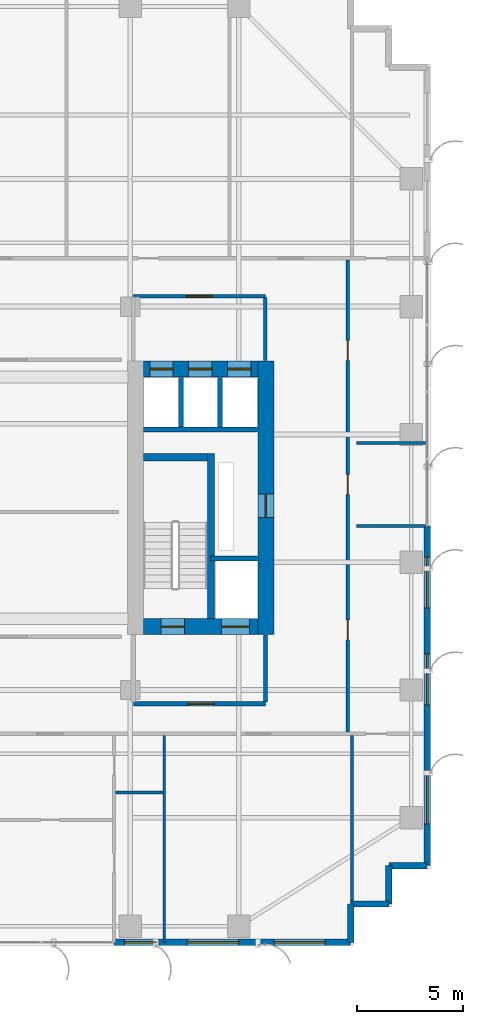
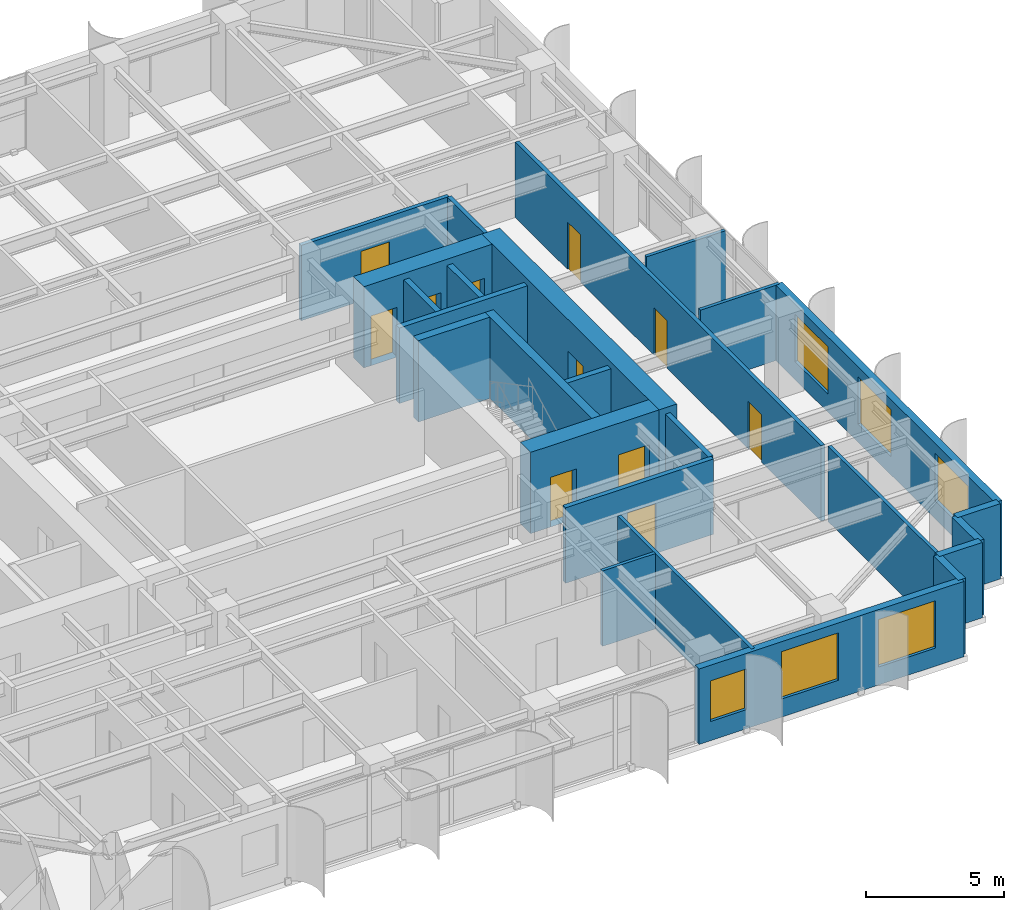
# One storey, part 22 of 27: 25 walls, 11 doors, 6 windows, 17 openings.
"""IFC4 building model written with IfcOpenShell, lengths in metres."""

from ifc_helpers import new_model, si_unit, direction, frame, frame_2d, origin, place, context, subcontext, project, spatial, rectangle, extrude, source, transform, mapped, material, layer, layer_set, type_object, element, fill, save


model = new_model("IFC4")

# Units and contexts
model_context = context("Model", 3, precision=1e-05, world=origin(), true_north=direction((0.0, 1.0)))
body_context = subcontext(model_context, "Body", "Model", "MODEL_VIEW")
ifc_project = project(units=[si_unit("LENGTHUNIT", "METRE"), si_unit("AREAUNIT", "SQUARE_METRE"), si_unit("VOLUMEUNIT", "CUBIC_METRE"), si_unit("PLANEANGLEUNIT", "RADIAN"), si_unit("MASSUNIT", "GRAM", prefix="KILO")], contexts=[model_context])

# Site, building, storey
site_placement = place(None, origin())
site = spatial("IfcSite", under=ifc_project, at=site_placement, CompositionType="ELEMENT")
building_placement = place(site_placement, origin())
building = spatial("IfcBuilding", under=site, at=building_placement, Name="Khoralis Quay Care Tower", CompositionType="ELEMENT")
storey_placement = place(building_placement, frame((0.0, 0.0, 105.300048828125)))
storey = spatial("IfcBuildingStorey", under=building, at=storey_placement, Name="L27", CompositionType="ELEMENT", Elevation=105.300048828125)

# Wall, opening, door
ifc_material_1 = material(Name="Gypsum plasterboard on acoustic metal stud")
ifc_layer_1 = layer(ifc_material_1, 0.199951171875)
ifc_layer_set_1 = layer_set([ifc_layer_1], Name="Gypsum plasterboard on acoustic metal stud")
wall_type_1 = type_object("IfcWallType", Name="WL-COMP-200", PredefinedType="PARTITIONING", material=ifc_layer_set_1)
wall_1_placement = place(storey_placement, frame((31.050048828125, 11.35009765625, 0.0), z_axis=(0.0, 0.0, 1.0), x_axis=(1.0, 0.0, 0.0)))
wall_1 = element("IfcWall", 1, at=wall_1_placement, inside=storey, type_object=wall_type_1, Name="L27 East Firefighting Lobby South Wall", PredefinedType="PARTITIONING", context=body_context, shape_type="SweptSolid", body=[
    extrude(rectangle(XDim=6.199951171875, YDim=0.199951171875, at=frame_2d((3.10009765625, 0.0))), origin(), (0.0, 0.0, 1.0), 3.33984375),
])
opening_1_placement = place(wall_1_placement, frame((2.585693359375, 0.0, 0.0)))
opening_1 = element("IfcOpeningElement", 2, at=opening_1_placement, cuts=wall_1, Name="Opening FD1", PredefinedType="OPENING", context=body_context, shape_type="SweptSolid", body=[
    extrude(rectangle(XDim=1.199951171875, YDim=2.199951171875, at=frame_2d((0.60009765625, 1.10009765625))), frame((0.0, 0.10986328125, 0.0), z_axis=(0.0, -1.0, 0.0), x_axis=(1.0, 0.0, 0.0)), (0.0, 0.0, 1.0), 0.219970703125),
])
ifc_material_2 = material(Name="Fire-rated painted steel", Category="steel")
door_type_1 = type_object("IfcDoorType", Name="DR-FFL-1200X2200", OperationType="NOTDEFINED", PredefinedType="DOOR", material=ifc_material_2)
shared_shape_1 = source(origin(), body_context, "Body", "SweptSolid", [
    extrude(rectangle(XDim=1.199951171875, YDim=2.199951171875, at=frame_2d((0.60009765625, 1.10009765625))), frame((0.0, 0.02490234375, 0.0), z_axis=(0.0, -1.0, 0.0), x_axis=(1.0, 0.0, 0.0)), (0.0, 0.0, 1.0), 0.050048828125),
])
door_1_placement = place(opening_1_placement, origin())
door_1 = element("IfcDoor", 3, at=door_1_placement, inside=storey, type_object=door_type_1, Name="L27 East Firefighting Lobby Fire Door", OperationType="SINGLE_SWING_RIGHT", OverallHeight=2.199951171875, OverallWidth=1.199951171875, PredefinedType="DOOR", context=body_context, shape_type="MappedRepresentation", body=[
    mapped(shared_shape_1, transform((0.0, 0.0, 0.0), scale=1.0)),
])
fill(opening_1, door_1)

# Wall
wall_2_placement = place(storey_placement, frame((37.25, 11.445068359375, 0.0), z_axis=(0.0, 0.0, 1.0), x_axis=(0.0, 1.0, 0.0)))
element("IfcWall", 4, at=wall_2_placement, inside=storey, type_object=wall_type_1, Name="L27 East Firefighting Lobby East Wall", PredefinedType="PARTITIONING", context=body_context, shape_type="SweptSolid", body=[
    extrude(rectangle(XDim=3.135009765625, YDim=0.199951171875, at=frame_2d((1.5673828125, 0.0))), origin(), (0.0, 0.0, 1.0), 3.33984375),
])

# Wall, opening, door
ifc_material_3 = material(Name="Concrete C80/95", Category="concrete")
ifc_layer_2 = layer(ifc_material_3, 0.75)
ifc_layer_set_2 = layer_set([ifc_layer_2], Name="Concrete C80/95")
wall_type_2 = type_object("IfcWallType", Name="WL-CORE-750", PredefinedType="SHEAR", material=ifc_layer_set_2)
wall_3_placement = place(storey_placement, frame((37.27490234375, 14.60009765625, 0.0), z_axis=(0.0, 0.0, 1.0), x_axis=(0.0, 1.0, 0.0)))
wall_3 = element("IfcWall", 5, at=wall_3_placement, inside=storey, type_object=wall_type_2, Name="L27 ECORE East Shear Wall", PredefinedType="SHEAR", context=body_context, shape_type="SweptSolid", body=[
    extrude(rectangle(XDim=12.849853515625, YDim=0.75, at=frame_2d((6.4248046875, 0.0))), origin(), (0.0, 0.0, 1.0), 3.599853515625),
])
opening_2_placement = place(wall_3_placement, frame((5.5, 0.0, 0.0)))
opening_2 = element("IfcOpeningElement", 6, at=opening_2_placement, cuts=wall_3, Name="Opening SD1", PredefinedType="OPENING", context=body_context, shape_type="SweptSolid", body=[
    extrude(rectangle(XDim=1.10009765625, YDim=2.199951171875, at=frame_2d((0.550048828125, 1.10009765625))), frame((0.0, 0.385009765625, 0.0), z_axis=(0.0, -1.0, 0.0), x_axis=(1.0, 0.0, 0.0)), (0.0, 0.0, 1.0), 0.77001953125),
])
door_type_2 = type_object("IfcDoorType", Name="DR-STAIR-1100X2200", OperationType="NOTDEFINED", PredefinedType="DOOR", material=ifc_material_2)
shared_shape_2 = source(origin(), body_context, "Body", "SweptSolid", [
    extrude(rectangle(XDim=1.10009765625, YDim=2.199951171875, at=frame_2d((0.550048828125, 1.10009765625))), frame((0.0, 0.02490234375, 0.0), z_axis=(0.0, -1.0, 0.0), x_axis=(1.0, 0.0, 0.0)), (0.0, 0.0, 1.0), 0.050048828125),
])
door_2_placement = place(opening_2_placement, frame((1.10009765625, 0.0, 0.0), z_axis=(0.0, 0.0, 1.0), x_axis=(-1.0, 0.0, 0.0)))
door_2 = element("IfcDoor", 7, at=door_2_placement, inside=storey, type_object=door_type_2, Name="L27 East MEP Riser Door", OperationType="SINGLE_SWING_RIGHT", OverallHeight=2.199951171875, OverallWidth=1.10009765625, PredefinedType="DOOR", context=body_context, shape_type="MappedRepresentation", body=[
    mapped(shared_shape_2, transform((0.0, 0.0, 0.0), scale=1.0)),
])
fill(opening_2, door_2)

# Wall, openings, doors
wall_4_placement = place(storey_placement, frame((31.52001953125, 14.97509765625, 0.0), z_axis=(0.0, 0.0, 1.0), x_axis=(1.0, 0.0, 0.0)))
wall_4 = element("IfcWall", 8, at=wall_4_placement, inside=storey, type_object=wall_type_2, Name="L27 ECORE South Shear Wall", PredefinedType="SHEAR", context=body_context, shape_type="SweptSolid", body=[
    extrude(rectangle(XDim=5.3798828125, YDim=0.75, at=frame_2d((2.68994140625, 0.0))), origin(), (0.0, 0.0, 1.0), 3.599853515625),
])
opening_3_placement = place(wall_4_placement, frame((0.830078125, 0.0, 0.0)))
opening_3 = element("IfcOpeningElement", 9, at=opening_3_placement, cuts=wall_4, Name="Opening SD1", PredefinedType="OPENING", context=body_context, shape_type="SweptSolid", body=[
    extrude(rectangle(XDim=1.10009765625, YDim=2.199951171875, at=frame_2d((0.550048828125, 1.10009765625))), frame((0.0, 0.385009765625, 0.0), z_axis=(0.0, -1.0, 0.0), x_axis=(1.0, 0.0, 0.0)), (0.0, 0.0, 1.0), 0.77001953125),
])
opening_4_placement = place(wall_4_placement, frame((3.679931640625, 0.0, 0.0)))
opening_4 = element("IfcOpeningElement", 10, at=opening_4_placement, cuts=wall_4, Name="Opening LD2", PredefinedType="OPENING", context=body_context, shape_type="SweptSolid", body=[
    extrude(rectangle(XDim=1.300048828125, YDim=2.199951171875, at=frame_2d((0.64990234375, 1.10009765625))), frame((0.0, 0.385009765625, 0.0), z_axis=(0.0, -1.0, 0.0), x_axis=(1.0, 0.0, 0.0)), (0.0, 0.0, 1.0), 0.77001953125),
])
door_3_placement = place(opening_3_placement, origin())
door_3 = element("IfcDoor", 11, at=door_3_placement, inside=storey, type_object=door_type_2, Name="L27 Stair ST-T2 Fire Door", OperationType="SINGLE_SWING_RIGHT", OverallHeight=2.199951171875, OverallWidth=1.10009765625, PredefinedType="DOOR", context=body_context, shape_type="MappedRepresentation", body=[
    mapped(shared_shape_2, transform((0.0, 0.0, 0.0), scale=1.0)),
])
fill(opening_3, door_3)
ifc_material_4 = material(Name="Brushed stainless steel", Category="steel")
door_type_3 = type_object("IfcDoorType", Name="DR-LIFT-1300X2200", OperationType="SLIDING_TO_RIGHT", PredefinedType="DOOR", material=ifc_material_4)
shared_shape_3 = source(origin(), body_context, "Body", "SweptSolid", [
    extrude(rectangle(XDim=1.300048828125, YDim=2.199951171875, at=frame_2d((0.64990234375, 1.10009765625))), frame((0.0, 0.02490234375, 0.0), z_axis=(0.0, -1.0, 0.0), x_axis=(1.0, 0.0, 0.0)), (0.0, 0.0, 1.0), 0.050048828125),
])
door_4_placement = place(opening_4_placement, origin())
door_4 = element("IfcDoor", 12, at=door_4_placement, inside=storey, type_object=door_type_3, Name="L27 Firefighting Lift FFL-2 Landing Door", OperationType="SLIDING_TO_RIGHT", OverallHeight=2.199951171875, OverallWidth=1.300048828125, PredefinedType="DOOR", context=body_context, shape_type="MappedRepresentation", body=[
    mapped(shared_shape_3, transform((0.0, 0.0, 0.0), scale=1.0)),
])
fill(opening_4, door_4)

wall_5_placement = place(storey_placement, frame((31.52001953125, 27.074951171875, 0.0), z_axis=(0.0, 0.0, 1.0), x_axis=(1.0, 0.0, 0.0)))
wall_5 = element("IfcWall", 13, at=wall_5_placement, inside=storey, type_object=wall_type_2, Name="L27 ECORE North Shear Wall", PredefinedType="SHEAR", context=body_context, shape_type="SweptSolid", body=[
    extrude(rectangle(XDim=5.3798828125, YDim=0.75, at=frame_2d((2.68994140625, 0.0))), origin(), (0.0, 0.0, 1.0), 3.599853515625),
])
opening_5_placement = place(wall_5_placement, frame((0.300048828125, 0.0, 0.0)))
opening_5 = element("IfcOpeningElement", 14, at=opening_5_placement, cuts=wall_5, Name="Opening LD1", PredefinedType="OPENING", context=body_context, shape_type="SweptSolid", body=[
    extrude(rectangle(XDim=1.10009765625, YDim=2.199951171875, at=frame_2d((0.550048828125, 1.10009765625))), frame((0.0, 0.385009765625, 0.0), z_axis=(0.0, -1.0, 0.0), x_axis=(1.0, 0.0, 0.0)), (0.0, 0.0, 1.0), 0.77001953125),
])
opening_6_placement = place(wall_5_placement, frame((2.1298828125, 0.0, 0.0)))
opening_6 = element("IfcOpeningElement", 15, at=opening_6_placement, cuts=wall_5, Name="Opening LD1", PredefinedType="OPENING", context=body_context, shape_type="SweptSolid", body=[
    extrude(rectangle(XDim=1.10009765625, YDim=2.199951171875, at=frame_2d((0.550048828125, 1.10009765625))), frame((0.0, 0.385009765625, 0.0), z_axis=(0.0, -1.0, 0.0), x_axis=(1.0, 0.0, 0.0)), (0.0, 0.0, 1.0), 0.77001953125),
])
opening_7_placement = place(wall_5_placement, frame((3.9599609375, 0.0, 0.0)))
opening_7 = element("IfcOpeningElement", 16, at=opening_7_placement, cuts=wall_5, Name="Opening LD1", PredefinedType="OPENING", context=body_context, shape_type="SweptSolid", body=[
    extrude(rectangle(XDim=1.10009765625, YDim=2.199951171875, at=frame_2d((0.550048828125, 1.10009765625))), frame((0.0, 0.385009765625, 0.0), z_axis=(0.0, -1.0, 0.0), x_axis=(1.0, 0.0, 0.0)), (0.0, 0.0, 1.0), 0.77001953125),
])
door_type_4 = type_object("IfcDoorType", Name="DR-LIFT-1100X2200", OperationType="SLIDING_TO_LEFT", PredefinedType="DOOR", material=ifc_material_4)
shared_shape_4 = source(origin(), body_context, "Body", "SweptSolid", [
    extrude(rectangle(XDim=1.10009765625, YDim=2.199951171875, at=frame_2d((0.550048828125, 1.10009765625))), frame((0.0, 0.02490234375, 0.0), z_axis=(0.0, -1.0, 0.0), x_axis=(1.0, 0.0, 0.0)), (0.0, 0.0, 1.0), 0.050048828125),
])
door_5_placement = place(opening_5_placement, origin())
door_5 = element("IfcDoor", 17, at=door_5_placement, inside=storey, type_object=door_type_4, Name="L27 Lift PLL2 Landing Door", OperationType="SLIDING_TO_LEFT", OverallHeight=2.199951171875, OverallWidth=1.10009765625, PredefinedType="DOOR", context=body_context, shape_type="MappedRepresentation", body=[
    mapped(shared_shape_4, transform((0.0, 0.0, 0.0), scale=1.0)),
])
fill(opening_5, door_5)
door_6_placement = place(opening_6_placement, origin())
door_6 = element("IfcDoor", 18, at=door_6_placement, inside=storey, type_object=door_type_4, Name="L27 Lift PLM2 Landing Door", OperationType="SLIDING_TO_LEFT", OverallHeight=2.199951171875, OverallWidth=1.10009765625, PredefinedType="DOOR", context=body_context, shape_type="MappedRepresentation", body=[
    mapped(shared_shape_4, transform((0.0, 0.0, 0.0), scale=1.0)),
])
fill(opening_6, door_6)
door_7_placement = place(opening_7_placement, origin())
door_7 = element("IfcDoor", 19, at=door_7_placement, inside=storey, type_object=door_type_4, Name="L27 Lift PLH2 Landing Door", OperationType="SLIDING_TO_LEFT", OverallHeight=2.199951171875, OverallWidth=1.10009765625, PredefinedType="DOOR", context=body_context, shape_type="MappedRepresentation", body=[
    mapped(shared_shape_4, transform((0.0, 0.0, 0.0), scale=1.0)),
])
fill(opening_7, door_7)

# Wall, opening, door
ifc_layer_3 = layer(ifc_material_1, 0.1650390625)
ifc_layer_set_3 = layer_set([ifc_layer_3], Name="Gypsum plasterboard on acoustic metal stud")
wall_type_3 = type_object("IfcWallType", Name="WL-CORR-165", PredefinedType="PARTITIONING", material=ifc_layer_set_3)
wall_6_placement = place(storey_placement, frame((31.050048828125, 30.5, 0.0), z_axis=(0.0, 0.0, 1.0), x_axis=(1.0, 0.0, 0.0)))
wall_6 = element("IfcWall", 20, at=wall_6_placement, inside=storey, type_object=wall_type_3, Name="L27 East Lift Lobby North Wall", PredefinedType="PARTITIONING", context=body_context, shape_type="SweptSolid", body=[
    extrude(rectangle(XDim=6.199951171875, YDim=0.1650390625, at=frame_2d((3.10009765625, 0.0))), origin(), (0.0, 0.0, 1.0), 3.33984375),
])
opening_8_placement = place(wall_6_placement, frame((2.5, 0.0, 0.0)))
opening_8 = element("IfcOpeningElement", 21, at=opening_8_placement, cuts=wall_6, Name="Opening FD1", PredefinedType="OPENING", context=body_context, shape_type="SweptSolid", body=[
    extrude(rectangle(XDim=1.199951171875, YDim=2.199951171875, at=frame_2d((0.60009765625, 1.10009765625))), frame((0.0, 0.092529296875, 0.0), z_axis=(0.0, -1.0, 0.0), x_axis=(1.0, 0.0, 0.0)), (0.0, 0.0, 1.0), 0.18505859375),
])
door_8_placement = place(opening_8_placement, origin())
door_8 = element("IfcDoor", 22, at=door_8_placement, inside=storey, type_object=door_type_1, Name="L27 East Lift Lobby Double Door", OperationType="DOUBLE_DOOR_SINGLE_SWING", OverallHeight=2.199951171875, OverallWidth=1.199951171875, PredefinedType="DOOR", context=body_context, shape_type="MappedRepresentation", body=[
    mapped(shared_shape_1, transform((0.0, 0.0, 0.0), scale=1.0)),
])
fill(opening_8, door_8)

# Wall
wall_7_placement = place(storey_placement, frame((37.25, 27.469970703125, 0.0), z_axis=(0.0, 0.0, 1.0), x_axis=(0.0, 1.0, 0.0)))
element("IfcWall", 23, at=wall_7_placement, inside=storey, type_object=wall_type_3, Name="L27 East Lift Lobby East Wall", PredefinedType="PARTITIONING", context=body_context, shape_type="SweptSolid", body=[
    extrude(rectangle(XDim=2.95263671875, YDim=0.1650390625, at=frame_2d((1.476318359375, 0.0))), origin(), (0.0, 0.0, 1.0), 3.33984375),
])

# Wall, openings, doors
wall_8_placement = place(storey_placement, frame((41.1201171875, 10.017578125, 0.0), z_axis=(0.0, 0.0, 1.0), x_axis=(0.0, 1.0, 0.0)))
wall_8 = element("IfcWall", 24, at=wall_8_placement, inside=storey, type_object=wall_type_3, Name="L27 East Loop Corridor Wall", PredefinedType="PARTITIONING", context=body_context, shape_type="SweptSolid", body=[
    extrude(rectangle(XDim=22.184814453125, YDim=0.1650390625, at=frame_2d((11.09228515625, 0.0))), origin(), (0.0, 0.0, 1.0), 3.33984375),
])
opening_9_placement = place(wall_8_placement, frame((4.327392578125, 0.0, 0.0)))
opening_9 = element("IfcOpeningElement", 25, at=opening_9_placement, cuts=wall_8, Name="Opening ID1", PredefinedType="OPENING", context=body_context, shape_type="SweptSolid", body=[
    extrude(rectangle(XDim=0.949951171875, YDim=2.10009765625, at=frame_2d((0.47509765625, 1.050048828125))), frame((0.0, 0.092529296875, 0.0), z_axis=(0.0, -1.0, 0.0), x_axis=(1.0, 0.0, 0.0)), (0.0, 0.0, 1.0), 0.18505859375),
])
opening_10_placement = place(wall_8_placement, frame((11.157470703125, 0.0, 0.0)))
opening_10 = element("IfcOpeningElement", 26, at=opening_10_placement, cuts=wall_8, Name="Opening ID1", PredefinedType="OPENING", context=body_context, shape_type="SweptSolid", body=[
    extrude(rectangle(XDim=0.949951171875, YDim=2.10009765625, at=frame_2d((0.47509765625, 1.050048828125))), frame((0.0, 0.092529296875, 0.0), z_axis=(0.0, -1.0, 0.0), x_axis=(1.0, 0.0, 0.0)), (0.0, 0.0, 1.0), 0.18505859375),
])
opening_11_placement = place(wall_8_placement, frame((17.447509765625, 0.0, 0.0)))
opening_11 = element("IfcOpeningElement", 27, at=opening_11_placement, cuts=wall_8, Name="Opening ID1", PredefinedType="OPENING", context=body_context, shape_type="SweptSolid", body=[
    extrude(rectangle(XDim=0.949951171875, YDim=2.10009765625, at=frame_2d((0.47509765625, 1.050048828125))), frame((0.0, 0.092529296875, 0.0), z_axis=(0.0, -1.0, 0.0), x_axis=(1.0, 0.0, 0.0)), (0.0, 0.0, 1.0), 0.18505859375),
])
ifc_material_5 = material(Name="Acoustic hardwood timber", Category="wood")
door_type_5 = type_object("IfcDoorType", Name="DR-ROOM-950X2100", OperationType="NOTDEFINED", PredefinedType="DOOR", material=ifc_material_5)
shared_shape_5 = source(origin(), body_context, "Body", "SweptSolid", [
    extrude(rectangle(XDim=0.949951171875, YDim=2.10009765625, at=frame_2d((0.47509765625, 1.050048828125))), frame((0.0, 0.02490234375, 0.0), z_axis=(0.0, -1.0, 0.0), x_axis=(1.0, 0.0, 0.0)), (0.0, 0.0, 1.0), 0.050048828125),
])
door_9_placement = place(opening_9_placement, frame((0.949951171875, 0.0, 0.0), z_axis=(0.0, 0.0, 1.0), x_axis=(-1.0, 0.0, 0.0)))
door_9 = element("IfcDoor", 28, at=door_9_placement, inside=storey, type_object=door_type_5, Name="L27 Therapy Consultation Room Door", OperationType="SINGLE_SWING_LEFT", OverallHeight=2.10009765625, OverallWidth=0.949951171875, PredefinedType="DOOR", context=body_context, shape_type="MappedRepresentation", body=[
    mapped(shared_shape_5, transform((0.0, 0.0, 0.0), scale=1.0)),
])
fill(opening_9, door_9)
door_10_placement = place(opening_10_placement, frame((0.949951171875, 0.0, 0.0), z_axis=(0.0, 0.0, 1.0), x_axis=(-1.0, 0.0, 0.0)))
door_10 = element("IfcDoor", 29, at=door_10_placement, inside=storey, type_object=door_type_5, Name="L27 Assisted Activity Lounge Door", OperationType="SINGLE_SWING_RIGHT", OverallHeight=2.10009765625, OverallWidth=0.949951171875, PredefinedType="DOOR", context=body_context, shape_type="MappedRepresentation", body=[
    mapped(shared_shape_5, transform((0.0, 0.0, 0.0), scale=1.0)),
])
fill(opening_10, door_10)
door_11_placement = place(opening_11_placement, frame((0.949951171875, 0.0, 0.0), z_axis=(0.0, 0.0, 1.0), x_axis=(-1.0, 0.0, 0.0)))
door_11 = element("IfcDoor", 30, at=door_11_placement, inside=storey, type_object=door_type_5, Name="L27 Nurse Charting Office Door", OperationType="SINGLE_SWING_LEFT", OverallHeight=2.10009765625, OverallWidth=0.949951171875, PredefinedType="DOOR", context=body_context, shape_type="MappedRepresentation", body=[
    mapped(shared_shape_5, transform((0.0, 0.0, 0.0), scale=1.0)),
])
fill(opening_11, door_11)

# Wall, openings, windows
ifc_material_6 = material(Name="Precast concrete C45/55", Category="concrete")
ifc_layer_4 = layer(ifc_material_6, 0.300048828125)
ifc_layer_set_4 = layer_set([ifc_layer_4], Name="Precast concrete C45/55")
wall_type_4 = type_object("IfcWallType", Name="WL-EXT-REF-300", PredefinedType="SOLIDWALL", material=ifc_layer_set_4)
wall_9_placement = place(storey_placement, frame((30.14990234375, 0.14990234375, 0.0), z_axis=(0.0, 0.0, 1.0), x_axis=(1.0, 0.0, 0.0)))
wall_9 = element("IfcWall", 31, at=wall_9_placement, inside=storey, type_object=wall_type_4, Name="L27 External Facade Wall WL-EXT-L27-P1-E0B", PredefinedType="SOLIDWALL", context=body_context, shape_type="SweptSolid", body=[
    extrude(rectangle(XDim=11.10009765625, YDim=0.300048828125, at=frame_2d((5.550048828125, 0.0))), origin(), (0.0, 0.0, 1.0), 3.33984375),
])
opening_12_placement = place(wall_9_placement, frame((0.47509765625, 0.0, 0.85009765625)))
opening_12 = element("IfcOpeningElement", 32, at=opening_12_placement, cuts=wall_9, Name="Opening W3", PredefinedType="OPENING", context=body_context, shape_type="SweptSolid", body=[
    extrude(rectangle(XDim=1.5, YDim=1.800048828125, at=frame_2d((0.75, 0.89990234375))), frame((0.0, 0.16015625, 0.0), z_axis=(0.0, -1.0, 0.0), x_axis=(1.0, 0.0, 0.0)), (0.0, 0.0, 1.0), 0.320068359375),
])
opening_13_placement = place(wall_9_placement, frame((3.4423828125, 0.0, 0.800048828125)))
opening_13 = element("IfcOpeningElement", 33, at=opening_13_placement, cuts=wall_9, Name="Opening W1", PredefinedType="OPENING", context=body_context, shape_type="SweptSolid", body=[
    extrude(rectangle(XDim=2.39990234375, YDim=2.10009765625, at=frame_2d((1.199951171875, 1.050048828125))), frame((0.0, 0.16015625, 0.0), z_axis=(0.0, -1.0, 0.0), x_axis=(1.0, 0.0, 0.0)), (0.0, 0.0, 1.0), 0.320068359375),
])
opening_14_placement = place(wall_9_placement, frame((7.507568359375, 0.0, 0.800048828125)))
opening_14 = element("IfcOpeningElement", 34, at=opening_14_placement, cuts=wall_9, Name="Opening W1", PredefinedType="OPENING", context=body_context, shape_type="SweptSolid", body=[
    extrude(rectangle(XDim=2.39990234375, YDim=2.10009765625, at=frame_2d((1.199951171875, 1.050048828125))), frame((0.0, 0.16015625, 0.0), z_axis=(0.0, -1.0, 0.0), x_axis=(1.0, 0.0, 0.0)), (0.0, 0.0, 1.0), 0.320068359375),
])
ifc_material_7 = material(Name="Low-E solar-control double glazing", Category="glass")
window_type_1 = type_object("IfcWindowType", Name="WN-CLIN-1500X1800", PartitioningType="SINGLE_PANEL", PredefinedType="WINDOW", material=ifc_material_7)
shared_shape_6 = source(origin(), body_context, "Body", "SweptSolid", [
    extrude(rectangle(XDim=1.5, YDim=1.800048828125, at=frame_2d((0.75, 0.89990234375))), frame((0.0, 0.030029296875, 0.0), z_axis=(0.0, -1.0, 0.0), x_axis=(1.0, 0.0, 0.0)), (0.0, 0.0, 1.0), 0.06005859375),
])
window_1_placement = place(opening_12_placement, origin())
window_1 = element("IfcWindow", 35, at=window_1_placement, inside=storey, type_object=window_type_1, Name="WN-L27-P1-E0B Facade Window 01", OverallHeight=1.800048828125, OverallWidth=1.5, PartitioningType="SINGLE_PANEL", PredefinedType="WINDOW", context=body_context, shape_type="MappedRepresentation", body=[
    mapped(shared_shape_6, transform((0.0, 0.0, 0.0), scale=1.0)),
])
fill(opening_12, window_1)
window_type_2 = type_object("IfcWindowType", Name="WN-POD-2400X2100", PartitioningType="SINGLE_PANEL", PredefinedType="WINDOW", material=ifc_material_7)
shared_shape_7 = source(origin(), body_context, "Body", "SweptSolid", [
    extrude(rectangle(XDim=2.39990234375, YDim=2.10009765625, at=frame_2d((1.199951171875, 1.050048828125))), frame((0.0, 0.030029296875, 0.0), z_axis=(0.0, -1.0, 0.0), x_axis=(1.0, 0.0, 0.0)), (0.0, 0.0, 1.0), 0.06005859375),
])
window_2_placement = place(opening_13_placement, origin())
window_2 = element("IfcWindow", 36, at=window_2_placement, inside=storey, type_object=window_type_2, Name="WN-L27-P1-E0B Facade Window 02", OverallHeight=2.10009765625, OverallWidth=2.39990234375, PartitioningType="SINGLE_PANEL", PredefinedType="WINDOW", context=body_context, shape_type="MappedRepresentation", body=[
    mapped(shared_shape_7, transform((0.0, 0.0, 0.0), scale=1.0)),
])
fill(opening_13, window_2)
window_3_placement = place(opening_14_placement, origin())
window_3 = element("IfcWindow", 37, at=window_3_placement, inside=storey, type_object=window_type_2, Name="WN-L27-P1-E0B Facade Window 03", OverallHeight=2.10009765625, OverallWidth=2.39990234375, PartitioningType="SINGLE_PANEL", PredefinedType="WINDOW", context=body_context, shape_type="MappedRepresentation", body=[
    mapped(shared_shape_7, transform((0.0, 0.0, 0.0), scale=1.0)),
])
fill(opening_14, window_3)

# Walls
for number, where, z_axis, x_axis, name in (
    (38, (41.25, 0.14990234375, 0.0), (0.0, 0.0, 1.0), (0.0, 1.0, 0.0), "L27 External Facade Wall WL-EXT-L27-P1-C1"),
    (39, (41.25, 1.949951171875, 0.0), (0.0, 0.0, 1.0), (1.0, 0.0, 0.0), "L27 External Facade Wall WL-EXT-L27-P1-C2"),
    (40, (43.050048828125, 1.949951171875, 0.0), (0.0, 0.0, 1.0), (0.0, 1.0, 0.0), "L27 External Facade Wall WL-EXT-L27-P1-C3"),
    (41, (43.050048828125, 3.75, 0.0), (0.0, 0.0, 1.0), (1.0, 0.0, 0.0), "L27 External Facade Wall WL-EXT-L27-P1-C4"),
):
    element("IfcWall", number, at=place(storey_placement, frame(where, z_axis=z_axis, x_axis=x_axis)), inside=storey, type_object=wall_type_4, Name=name, PredefinedType="SOLIDWALL", context=body_context, shape_type="SweptSolid", body=[
        extrude(rectangle(XDim=1.800048828125, YDim=0.300048828125, at=frame_2d((0.89990234375, 0.0))), origin(), (0.0, 0.0, 1.0), 3.33984375),
    ])

# Wall, openings, windows
wall_10_placement = place(storey_placement, frame((44.85009765625, 3.75, 0.0), z_axis=(0.0, 0.0, 1.0), x_axis=(0.0, 1.0, 0.0)))
wall_10 = element("IfcWall", 42, at=wall_10_placement, inside=storey, type_object=wall_type_4, Name="L27 External Facade Wall WL-EXT-L27-P1-E5A", PredefinedType="SOLIDWALL", context=body_context, shape_type="SweptSolid", body=[
    extrude(rectangle(XDim=15.949951171875, YDim=0.300048828125, at=frame_2d((7.97509765625, 0.0))), origin(), (0.0, 0.0, 1.0), 3.33984375),
])
opening_15_placement = place(wall_10_placement, frame((1.945068359375, 0.0, 0.800048828125)))
opening_15 = element("IfcOpeningElement", 43, at=opening_15_placement, cuts=wall_10, Name="Opening W1", PredefinedType="OPENING", context=body_context, shape_type="SweptSolid", body=[
    extrude(rectangle(XDim=2.39990234375, YDim=2.10009765625, at=frame_2d((1.199951171875, 1.050048828125))), frame((0.0, 0.16015625, 0.0), z_axis=(0.0, -1.0, 0.0), x_axis=(1.0, 0.0, 0.0)), (0.0, 0.0, 1.0), 0.320068359375),
])
opening_16_placement = place(wall_10_placement, frame((7.534912109375, 0.0, 0.800048828125)))
opening_16 = element("IfcOpeningElement", 44, at=opening_16_placement, cuts=wall_10, Name="Opening W1", PredefinedType="OPENING", context=body_context, shape_type="SweptSolid", body=[
    extrude(rectangle(XDim=2.39990234375, YDim=2.10009765625, at=frame_2d((1.199951171875, 1.050048828125))), frame((0.0, 0.16015625, 0.0), z_axis=(0.0, -1.0, 0.0), x_axis=(1.0, 0.0, 0.0)), (0.0, 0.0, 1.0), 0.320068359375),
])
opening_17_placement = place(wall_10_placement, frame((12.10498046875, 0.0, 0.800048828125)))
opening_17 = element("IfcOpeningElement", 45, at=opening_17_placement, cuts=wall_10, Name="Opening W1", PredefinedType="OPENING", context=body_context, shape_type="SweptSolid", body=[
    extrude(rectangle(XDim=2.39990234375, YDim=2.10009765625, at=frame_2d((1.199951171875, 1.050048828125))), frame((0.0, 0.16015625, 0.0), z_axis=(0.0, -1.0, 0.0), x_axis=(1.0, 0.0, 0.0)), (0.0, 0.0, 1.0), 0.320068359375),
])
window_4_placement = place(opening_15_placement, origin())
window_4 = element("IfcWindow", 46, at=window_4_placement, inside=storey, type_object=window_type_2, Name="WN-L27-P1-E5A Facade Window 01", OverallHeight=2.10009765625, OverallWidth=2.39990234375, PartitioningType="SINGLE_PANEL", PredefinedType="WINDOW", context=body_context, shape_type="MappedRepresentation", body=[
    mapped(shared_shape_7, transform((0.0, 0.0, 0.0), scale=1.0)),
])
fill(opening_15, window_4)
window_5_placement = place(opening_16_placement, origin())
window_5 = element("IfcWindow", 47, at=window_5_placement, inside=storey, type_object=window_type_2, Name="WN-L27-P1-E5A Facade Window 02", OverallHeight=2.10009765625, OverallWidth=2.39990234375, PartitioningType="SINGLE_PANEL", PredefinedType="WINDOW", context=body_context, shape_type="MappedRepresentation", body=[
    mapped(shared_shape_7, transform((0.0, 0.0, 0.0), scale=1.0)),
])
fill(opening_16, window_5)
window_6_placement = place(opening_17_placement, origin())
window_6 = element("IfcWindow", 48, at=window_6_placement, inside=storey, type_object=window_type_2, Name="WN-L27-P1-E5A Facade Window 03", OverallHeight=2.10009765625, OverallWidth=2.39990234375, PartitioningType="SINGLE_PANEL", PredefinedType="WINDOW", context=body_context, shape_type="MappedRepresentation", body=[
    mapped(shared_shape_7, transform((0.0, 0.0, 0.0), scale=1.0)),
])
fill(opening_17, window_6)

# Walls
ifc_material_8 = material(Name="Moisture-resistant gypsum and ceramic tile")
ifc_layer_5 = layer(ifc_material_8, 0.280029296875)
ifc_layer_set_5 = layer_set([ifc_layer_5], Name="Moisture-resistant gypsum and ceramic tile")
wall_type_5 = type_object("IfcWallType", Name="WL-PLUMB-280", PredefinedType="PLUMBINGWALL", material=ifc_layer_set_5)
wall_11_placement = place(storey_placement, frame((30.215087890625, 7.18994140625, 0.0), z_axis=(0.0, 0.0, 1.0), x_axis=(1.0, 0.0, 0.0)))
element("IfcWall", 49, at=wall_11_placement, inside=storey, type_object=wall_type_5, Name="L27 Care Suite 2 En-Suite Wall H", PredefinedType="PLUMBINGWALL", context=body_context, shape_type="SweptSolid", body=[
    extrude(rectangle(XDim=2.219970703125, YDim=0.139892578125, at=frame_2d((1.10986328125, 0.0))), origin(), (0.0, 0.0, 1.0), 3.33984375),
])
ifc_material_9 = material(Name="Concrete C40/50", Category="concrete")
ifc_layer_6 = layer(ifc_material_9, 0.35009765625)
ifc_layer_set_6 = layer_set([ifc_layer_6], Name="Concrete C40/50")
wall_type_6 = type_object("IfcWallType", Name="WL-SC-CORE-350", PredefinedType="SHEAR", material=ifc_layer_set_6)
wall_12_placement = place(storey_placement, frame((34.695068359375, 15.35009765625, 0.0), z_axis=(0.0, 0.0, 1.0), x_axis=(0.0, 1.0, 0.0)))
element("IfcWall", 50, at=wall_12_placement, inside=storey, type_object=wall_type_6, Name="L27 Stair ST-T2 Shear Baffle Wall East", PredefinedType="SHEAR", context=body_context, shape_type="SweptSolid", body=[
    extrude(rectangle(XDim=7.75, YDim=0.35009765625, at=frame_2d((3.875, 0.0))), origin(), (0.0, 0.0, 1.0), 3.599853515625),
])
wall_13_placement = place(storey_placement, frame((31.52001953125, 22.925048828125, 0.0), z_axis=(0.0, 0.0, 1.0), x_axis=(1.0, 0.0, 0.0)))
element("IfcWall", 51, at=wall_13_placement, inside=storey, type_object=wall_type_6, Name="L27 Stair ST-T2 Shear Baffle Wall North", PredefinedType="SHEAR", context=body_context, shape_type="SweptSolid", body=[
    extrude(rectangle(XDim=3.0, YDim=0.35009765625, at=frame_2d((1.5, 0.0))), origin(), (0.0, 0.0, 1.0), 3.599853515625),
])
ifc_layer_7 = layer(ifc_material_1, 0.239990234375)
ifc_layer_set_7 = layer_set([ifc_layer_7], Name="Gypsum plasterboard on acoustic metal stud")
wall_type_7 = type_object("IfcWallType", Name="WL-SHAFT-240", PredefinedType="PARTITIONING", material=ifc_layer_set_7)
wall_14_placement = place(storey_placement, frame((34.679931640625, 18.169921875, 0.0), z_axis=(0.0, 0.0, 1.0), x_axis=(1.0, 0.0, 0.0)))
element("IfcWall", 52, at=wall_14_placement, inside=storey, type_object=wall_type_7, Name="L27 FFL-2 Shaft Wall North", PredefinedType="PARTITIONING", context=body_context, shape_type="SweptSolid", body=[
    extrude(rectangle(XDim=2.199951171875, YDim=0.239990234375, at=frame_2d((1.10009765625, 0.0))), origin(), (0.0, 0.0, 1.0), 3.33984375),
])
wall_15_placement = place(storey_placement, frame((31.52001953125, 24.22998046875, 0.0), z_axis=(0.0, 0.0, 1.0), x_axis=(1.0, 0.0, 0.0)))
element("IfcWall", 53, at=wall_15_placement, inside=storey, type_object=wall_type_7, Name="L27 East Passenger Shaft South Wall", PredefinedType="PARTITIONING", context=body_context, shape_type="SweptSolid", body=[
    extrude(rectangle(XDim=5.35986328125, YDim=0.239990234375, at=frame_2d((2.679931640625, 0.0))), origin(), (0.0, 0.0, 1.0), 3.33984375),
])
for number, where, z_axis, x_axis, name in (
    (54, (33.2900390625, 24.344970703125, 0.0), (0.0, 0.0, 1.0), (0.0, 1.0, 0.0), "L27 East Shaft Divider 1"),
    (55, (35.110107421875, 24.344970703125, 0.0), (0.0, 0.0, 1.0), (0.0, 1.0, 0.0), "L27 East Shaft Divider 2"),
):
    element("IfcWall", number, at=place(storey_placement, frame(where, z_axis=z_axis, x_axis=x_axis)), inside=storey, type_object=wall_type_7, Name=name, PredefinedType="PARTITIONING", context=body_context, shape_type="SweptSolid", body=[
        extrude(rectangle(XDim=2.3349609375, YDim=0.239990234375, at=frame_2d((1.16748046875, 0.0))), origin(), (0.0, 0.0, 1.0), 3.33984375),
    ])
ifc_layer_8 = layer(ifc_material_1, 0.139892578125)
ifc_layer_set_8 = layer_set([ifc_layer_8], Name="Gypsum plasterboard on acoustic metal stud")
wall_type_8 = type_object("IfcWallType", Name="WL-UNIT-140", PredefinedType="PARTITIONING", material=ifc_layer_set_8)
for number, where, z_axis, x_axis, name in (
    (56, (41.5400390625, 19.699951171875, 0.0), (0.0, 0.0, 1.0), (1.0, 0.0, 0.0), "L27 EE Divider 1"),
    (57, (41.5400390625, 23.60009765625, 0.0), (0.0, 0.0, 1.0), (1.0, 0.0, 0.0), "L27 EE Divider 2"),
):
    element("IfcWall", number, at=place(storey_placement, frame(where, z_axis=z_axis, x_axis=x_axis)), inside=storey, type_object=wall_type_8, Name=name, PredefinedType="PARTITIONING", context=body_context, shape_type="SweptSolid", body=[
        extrude(rectangle(XDim=3.31494140625, YDim=0.139892578125, at=frame_2d((1.657470703125, 0.0))), origin(), (0.0, 0.0, 1.0), 3.33984375),
    ])
wall_16_placement = place(storey_placement, frame((32.5, 0.14501953125, 0.0), z_axis=(0.0, 0.0, 1.0), x_axis=(0.0, 1.0, 0.0)))
element("IfcWall", 58, at=wall_16_placement, inside=storey, type_object=wall_type_8, Name="L27 SB Demising Wall 3", PredefinedType="PARTITIONING", context=body_context, shape_type="SweptSolid", body=[
    extrude(rectangle(XDim=9.717529296875, YDim=0.139892578125, at=frame_2d((4.85888671875, 0.0))), origin(), (0.0, 0.0, 1.0), 3.33984375),
])
wall_17_placement = place(storey_placement, frame((41.320068359375, 1.945068359375, 0.0), z_axis=(0.0, 0.0, 1.0), x_axis=(0.0, 1.0, 0.0)))
element("IfcWall", 59, at=wall_17_placement, inside=storey, type_object=wall_type_8, Name="L27 SB Demising Wall 4", PredefinedType="PARTITIONING", context=body_context, shape_type="SweptSolid", body=[
    extrude(rectangle(XDim=7.91748046875, YDim=0.139892578125, at=frame_2d((3.958740234375, 0.0))), origin(), (0.0, 0.0, 1.0), 3.33984375),
])

save(model, "model.ifc")
